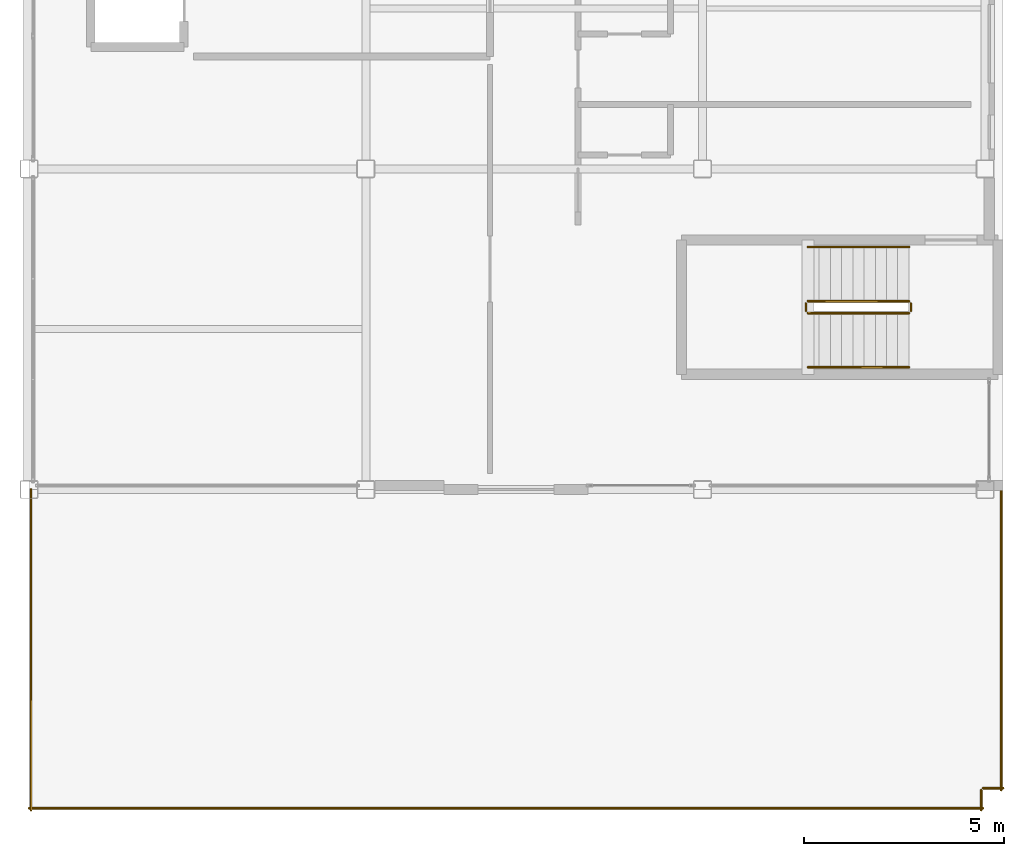
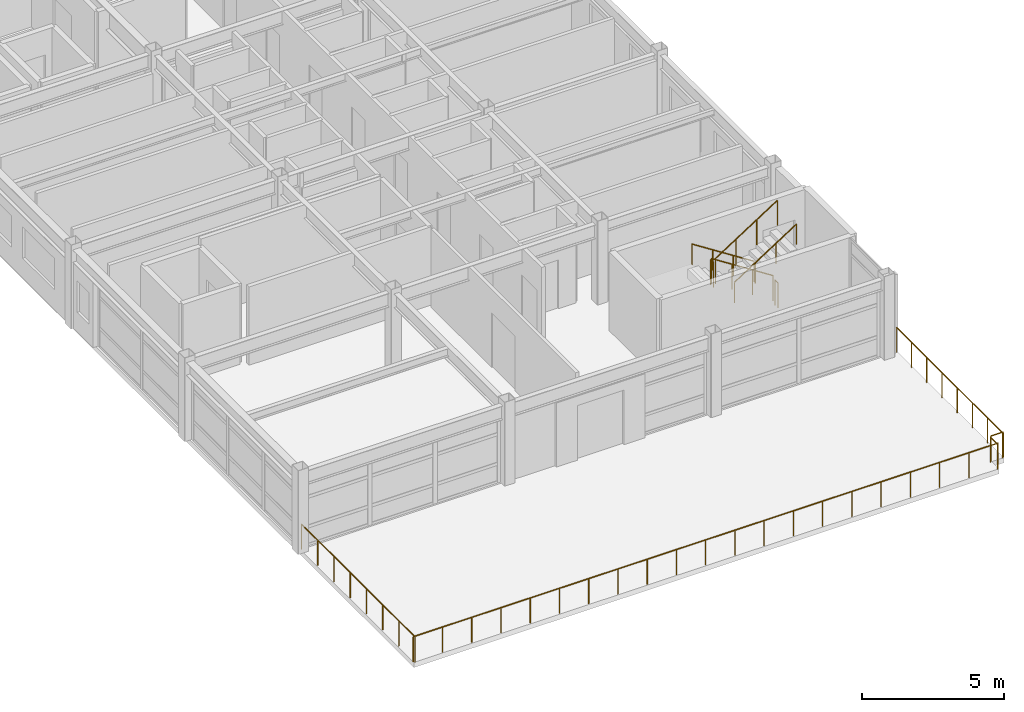
# One storey, part 26 of 28: 11 railings.
"""IFC4 building model written with IfcOpenShell, lengths in metres."""

from ifc_helpers import new_model, si_unit, direction, frame, origin, origin_2d, place, context, subcontext, project, spatial, circle, extrude, material, type_object, element, save


model = new_model("IFC4")

# Units and contexts
model_context = context("Model", 3, precision=1e-05, world=origin(), true_north=direction((0.0, 1.0)))
body_context = subcontext(model_context, "Body", "Model", "MODEL_VIEW")
ifc_project = project(units=[si_unit("LENGTHUNIT", "METRE"), si_unit("AREAUNIT", "SQUARE_METRE"), si_unit("VOLUMEUNIT", "CUBIC_METRE"), si_unit("PLANEANGLEUNIT", "RADIAN"), si_unit("MASSUNIT", "GRAM", prefix="KILO")], contexts=[model_context])

# Site, building, storey
site_placement = place(None, origin())
site = spatial("IfcSite", under=ifc_project, at=site_placement, CompositionType="ELEMENT")
building_placement = place(site_placement, origin())
building = spatial("IfcBuilding", under=site, at=building_placement, Name="Kazehara Bluff Congress Hotel", CompositionType="ELEMENT")
storey_placement = place(building_placement, frame((0.0, 0.0, 42.60009765625)))
storey = spatial("IfcBuildingStorey", under=building, at=storey_placement, Name="L10", CompositionType="ELEMENT", Elevation=42.60009765625)

# Railings
ifc_material_1 = material(Name="Painted galvanised steel", Category="steel")
railing_type_1 = type_object("IfcRailingType", Name="TP-GRD-EXT", PredefinedType="BALUSTRADE", material=ifc_material_1)
railing_1_placement = place(storey_placement, frame((143.75, 16.0, 0.0)))
element("IfcRailing", 1, at=railing_1_placement, inside=storey, type_object=railing_type_1, Name="Executive South Sky Terrace edge guard 1", PredefinedType="BALUSTRADE", context=body_context, shape_type="SweptSolid", body=[
    extrude(circle(Radius=0.02392578125, at=origin_2d()), frame((0.0, 0.0, 1.076171875), z_axis=(0.0, -1.0, 0.0), x_axis=(1.0, 0.0, 0.0)), (0.0, 0.0, 1.0), 8.0),
    extrude(circle(Radius=0.02099609375, at=origin_2d()), origin(), (0.0, 0.0, 1.0), 1.052001953125),
    extrude(circle(Radius=0.02099609375, at=origin_2d()), frame((0.0, -1.142822265625, 0.0)), (0.0, 0.0, 1.0), 1.052001953125),
    extrude(circle(Radius=0.02099609375, at=origin_2d()), frame((0.0, -2.28564453125, 0.0)), (0.0, 0.0, 1.0), 1.052001953125),
    extrude(circle(Radius=0.02099609375, at=origin_2d()), frame((0.0, -3.428466796875, 0.0)), (0.0, 0.0, 1.0), 1.052001953125),
    extrude(circle(Radius=0.02099609375, at=origin_2d()), frame((0.0, -4.571533203125, 0.0)), (0.0, 0.0, 1.0), 1.052001953125),
    extrude(circle(Radius=0.02099609375, at=origin_2d()), frame((0.0, -5.71435546875, 0.0)), (0.0, 0.0, 1.0), 1.052001953125),
    extrude(circle(Radius=0.02099609375, at=origin_2d()), frame((0.0, -6.857177734375, 0.0)), (0.0, 0.0, 1.0), 1.052001953125),
    extrude(circle(Radius=0.02099609375, at=origin_2d()), frame((0.0, -8.0, 0.0)), (0.0, 0.0, 1.0), 1.052001953125),
])
railing_2_placement = place(storey_placement, frame((143.699951171875, 8.050048828125, 0.0)))
element("IfcRailing", 2, at=railing_2_placement, inside=storey, type_object=railing_type_1, Name="Executive South Sky Terrace edge guard 2", PredefinedType="BALUSTRADE", context=body_context, shape_type="SweptSolid", body=[
    extrude(circle(Radius=0.02392578125, at=origin_2d()), frame((0.0, 0.0, 1.076171875), z_axis=(1.0, 0.0, 0.0), x_axis=(0.0, 1.0, 0.0)), (0.0, 0.0, 1.0), 23.800048828125),
    extrude(circle(Radius=0.02099609375, at=origin_2d()), origin(), (0.0, 0.0, 1.0), 1.052001953125),
    extrude(circle(Radius=0.02099609375, at=origin_2d()), frame((1.18994140625, 0.0, 0.0)), (0.0, 0.0, 1.0), 1.052001953125),
    extrude(circle(Radius=0.02099609375, at=origin_2d()), frame((2.3798828125, 0.0, 0.0)), (0.0, 0.0, 1.0), 1.052001953125),
    extrude(circle(Radius=0.02099609375, at=origin_2d()), frame((3.570068359375, 0.0, 0.0)), (0.0, 0.0, 1.0), 1.052001953125),
    extrude(circle(Radius=0.02099609375, at=origin_2d()), frame((4.760009765625, 0.0, 0.0)), (0.0, 0.0, 1.0), 1.052001953125),
    extrude(circle(Radius=0.02099609375, at=origin_2d()), frame((5.949951171875, 0.0, 0.0)), (0.0, 0.0, 1.0), 1.052001953125),
    extrude(circle(Radius=0.02099609375, at=origin_2d()), frame((7.14013671875, 0.0, 0.0)), (0.0, 0.0, 1.0), 1.052001953125),
    extrude(circle(Radius=0.02099609375, at=origin_2d()), frame((8.330078125, 0.0, 0.0)), (0.0, 0.0, 1.0), 1.052001953125),
    extrude(circle(Radius=0.02099609375, at=origin_2d()), frame((9.52001953125, 0.0, 0.0)), (0.0, 0.0, 1.0), 1.052001953125),
    extrude(circle(Radius=0.02099609375, at=origin_2d()), frame((10.7099609375, 0.0, 0.0)), (0.0, 0.0, 1.0), 1.052001953125),
    extrude(circle(Radius=0.02099609375, at=origin_2d()), frame((11.89990234375, 0.0, 0.0)), (0.0, 0.0, 1.0), 1.052001953125),
    extrude(circle(Radius=0.02099609375, at=origin_2d()), frame((13.090087890625, 0.0, 0.0)), (0.0, 0.0, 1.0), 1.052001953125),
    extrude(circle(Radius=0.02099609375, at=origin_2d()), frame((14.280029296875, 0.0, 0.0)), (0.0, 0.0, 1.0), 1.052001953125),
    extrude(circle(Radius=0.02099609375, at=origin_2d()), frame((15.469970703125, 0.0, 0.0)), (0.0, 0.0, 1.0), 1.052001953125),
    extrude(circle(Radius=0.02099609375, at=origin_2d()), frame((16.66015625, 0.0, 0.0)), (0.0, 0.0, 1.0), 1.052001953125),
    extrude(circle(Radius=0.02099609375, at=origin_2d()), frame((17.85009765625, 0.0, 0.0)), (0.0, 0.0, 1.0), 1.052001953125),
    extrude(circle(Radius=0.02099609375, at=origin_2d()), frame((19.0400390625, 0.0, 0.0)), (0.0, 0.0, 1.0), 1.052001953125),
    extrude(circle(Radius=0.02099609375, at=origin_2d()), frame((20.22998046875, 0.0, 0.0)), (0.0, 0.0, 1.0), 1.052001953125),
    extrude(circle(Radius=0.02099609375, at=origin_2d()), frame((21.419921875, 0.0, 0.0)), (0.0, 0.0, 1.0), 1.052001953125),
    extrude(circle(Radius=0.02099609375, at=origin_2d()), frame((22.610107421875, 0.0, 0.0)), (0.0, 0.0, 1.0), 1.052001953125),
    extrude(circle(Radius=0.02099609375, at=origin_2d()), frame((23.800048828125, 0.0, 0.0)), (0.0, 0.0, 1.0), 1.052001953125),
])
railing_3_placement = place(storey_placement, frame((167.449951171875, 8.0, 0.0)))
element("IfcRailing", 3, at=railing_3_placement, inside=storey, type_object=railing_type_1, Name="Executive South Sky Terrace edge guard 3", PredefinedType="BALUSTRADE", context=body_context, shape_type="SweptSolid", body=[
    extrude(circle(Radius=0.02392578125, at=origin_2d()), frame((0.0, 0.0, 1.076171875), z_axis=(0.0, 1.0, 0.0), x_axis=(-1.0, 0.0, 0.0)), (0.0, 0.0, 1.0), 0.5),
    extrude(circle(Radius=0.02099609375, at=origin_2d()), origin(), (0.0, 0.0, 1.0), 1.052001953125),
    extrude(circle(Radius=0.02099609375, at=origin_2d()), frame((0.0, 0.5, 0.0)), (0.0, 0.0, 1.0), 1.052001953125),
])
railing_4_placement = place(storey_placement, frame((167.5, 8.550048828125, 0.0)))
element("IfcRailing", 4, at=railing_4_placement, inside=storey, type_object=railing_type_1, Name="Executive South Sky Terrace edge guard 4", PredefinedType="BALUSTRADE", context=body_context, shape_type="SweptSolid", body=[
    extrude(circle(Radius=0.02392578125, at=origin_2d()), frame((0.0, 0.0, 1.076171875), z_axis=(1.0, 0.0, 0.0), x_axis=(0.0, 1.0, 0.0)), (0.0, 0.0, 1.0), 0.5),
    extrude(circle(Radius=0.02099609375, at=origin_2d()), origin(), (0.0, 0.0, 1.0), 1.052001953125),
    extrude(circle(Radius=0.02099609375, at=origin_2d()), frame((0.5, 0.0, 0.0)), (0.0, 0.0, 1.0), 1.052001953125),
])
railing_5_placement = place(storey_placement, frame((167.949951171875, 8.5, 0.0)))
element("IfcRailing", 5, at=railing_5_placement, inside=storey, type_object=railing_type_1, Name="Executive South Sky Terrace edge guard 5", PredefinedType="BALUSTRADE", context=body_context, shape_type="SweptSolid", body=[
    extrude(circle(Radius=0.02392578125, at=origin_2d()), frame((0.0, 0.0, 1.076171875), z_axis=(0.0, 1.0, 0.0), x_axis=(-1.0, 0.0, 0.0)), (0.0, 0.0, 1.0), 7.5),
    extrude(circle(Radius=0.02099609375, at=origin_2d()), origin(), (0.0, 0.0, 1.0), 1.052001953125),
    extrude(circle(Radius=0.02099609375, at=origin_2d()), frame((0.0, 1.071533203125, 0.0)), (0.0, 0.0, 1.0), 1.052001953125),
    extrude(circle(Radius=0.02099609375, at=origin_2d()), frame((0.0, 2.142822265625, 0.0)), (0.0, 0.0, 1.0), 1.052001953125),
    extrude(circle(Radius=0.02099609375, at=origin_2d()), frame((0.0, 3.21435546875, 0.0)), (0.0, 0.0, 1.0), 1.052001953125),
    extrude(circle(Radius=0.02099609375, at=origin_2d()), frame((0.0, 4.28564453125, 0.0)), (0.0, 0.0, 1.0), 1.052001953125),
    extrude(circle(Radius=0.02099609375, at=origin_2d()), frame((0.0, 5.357177734375, 0.0)), (0.0, 0.0, 1.0), 1.052001953125),
    extrude(circle(Radius=0.02099609375, at=origin_2d()), frame((0.0, 6.428466796875, 0.0)), (0.0, 0.0, 1.0), 1.052001953125),
    extrude(circle(Radius=0.02099609375, at=origin_2d()), frame((0.0, 7.5, 0.0)), (0.0, 0.0, 1.0), 1.052001953125),
])
ifc_material_2 = material(Name="Brushed stainless steel", Category="steel")
railing_type_2 = type_object("IfcRailingType", Name="TP-GRD-INT", PredefinedType="GUARDRAIL", material=ifc_material_2)
railing_6_placement = place(storey_placement, frame((165.64990234375, 20.699951171875, 0.179931640625)))
element("IfcRailing", 6, at=railing_6_placement, inside=storey, type_object=railing_type_2, Name="L10 ST-10 stair guard 1", PredefinedType="GUARDRAIL", context=body_context, shape_type="SweptSolid", body=[
    extrude(circle(Radius=0.02392578125, at=origin_2d()), frame((0.0, 0.0, 1.076171875), z_axis=(-0.841199657755, 0.0, 0.540724639528), x_axis=(0.0, -1.0, 0.0)), (0.0, 0.0, 1.0), 2.995849609375),
    extrude(circle(Radius=0.02099609375, at=origin_2d()), origin(), (0.0, 0.0, 1.0), 1.052001953125),
    extrude(circle(Radius=0.02099609375, at=origin_2d()), frame((-0.840087890625, 0.0, 0.5400390625)), (0.0, 0.0, 1.0), 1.052001953125),
    extrude(circle(Radius=0.02099609375, at=origin_2d()), frame((-1.679931640625, 0.0, 1.079833984375)), (0.0, 0.0, 1.0), 1.052001953125),
    extrude(circle(Radius=0.02099609375, at=origin_2d()), frame((-2.52001953125, 0.0, 1.619873046875)), (0.0, 0.0, 1.0), 1.052001953125),
])
railing_7_placement = place(storey_placement, frame((163.080078125, 20.64990234375, 1.7998046875)))
element("IfcRailing", 7, at=railing_7_placement, inside=storey, type_object=railing_type_2, Name="L10 ST-10 stair guard 2", PredefinedType="GUARDRAIL", context=body_context, shape_type="SweptSolid", body=[
    extrude(circle(Radius=0.02392578125, at=origin_2d()), frame((0.0, 0.0, 1.076171875), z_axis=(0.0, -1.0, 0.0), x_axis=(1.0, 0.0, 0.0)), (0.0, 0.0, 1.0), 0.199951171875),
    extrude(circle(Radius=0.02099609375, at=origin_2d()), origin(), (0.0, 0.0, 1.0), 1.052001953125),
    extrude(circle(Radius=0.02099609375, at=origin_2d()), frame((0.0, -0.199951171875, 0.0)), (0.0, 0.0, 1.0), 1.052001953125),
])
railing_8_placement = place(storey_placement, frame((163.1298828125, 20.39990234375, 1.97998046875)))
element("IfcRailing", 8, at=railing_8_placement, inside=storey, type_object=railing_type_2, Name="L10 ST-10 stair guard 3", PredefinedType="GUARDRAIL", context=body_context, shape_type="SweptSolid", body=[
    extrude(circle(Radius=0.02392578125, at=origin_2d()), frame((0.0, 0.0, 1.076171875), z_axis=(0.841199657755, 0.0, 0.540724639528), x_axis=(0.0, 1.0, 0.0)), (0.0, 0.0, 1.0), 2.995849609375),
    extrude(circle(Radius=0.02099609375, at=origin_2d()), origin(), (0.0, 0.0, 1.0), 1.052001953125),
    extrude(circle(Radius=0.02099609375, at=origin_2d()), frame((0.840087890625, 0.0, 0.5400390625)), (0.0, 0.0, 1.0), 1.052001953125),
    extrude(circle(Radius=0.02099609375, at=origin_2d()), frame((1.679931640625, 0.0, 1.079833984375)), (0.0, 0.0, 1.0), 1.052001953125),
    extrude(circle(Radius=0.02099609375, at=origin_2d()), frame((2.52001953125, 0.0, 1.619873046875)), (0.0, 0.0, 1.0), 1.052001953125),
])
railing_9_placement = place(storey_placement, frame((165.699951171875, 20.64990234375, 0.0)))
element("IfcRailing", 9, at=railing_9_placement, inside=storey, type_object=railing_type_2, Name="L10 ST-10 stair guard 4", PredefinedType="GUARDRAIL", context=body_context, shape_type="SweptSolid", body=[
    extrude(circle(Radius=0.02392578125, at=origin_2d()), frame((0.0, 0.0, 1.076171875), z_axis=(0.0, -1.0, 0.0), x_axis=(1.0, 0.0, 0.0)), (0.0, 0.0, 1.0), 0.199951171875),
    extrude(circle(Radius=0.02099609375, at=origin_2d()), origin(), (0.0, 0.0, 1.0), 1.052001953125),
    extrude(circle(Radius=0.02099609375, at=origin_2d()), frame((0.0, -0.199951171875, 0.0)), (0.0, 0.0, 1.0), 1.052001953125),
])
ifc_material_3 = material(Name="Brushed stainless steel", Category="steel")
railing_type_3 = type_object("IfcRailingType", Name="TP-HR-INT", PredefinedType="HANDRAIL", material=ifc_material_3)
railing_10_placement = place(storey_placement, frame((165.64990234375, 22.050048828125, 0.179931640625)))
element("IfcRailing", 10, at=railing_10_placement, inside=storey, type_object=railing_type_3, Name="L10 ST-10 stair handrail 1", PredefinedType="HANDRAIL", context=body_context, shape_type="SweptSolid", body=[
    extrude(circle(Radius=0.02392578125, at=origin_2d()), frame((0.0, 0.0, 0.8759765625), z_axis=(-0.841199657755, 0.0, 0.540724639528), x_axis=(0.0, -1.0, 0.0)), (0.0, 0.0, 1.0), 2.995849609375),
    extrude(circle(Radius=0.02099609375, at=origin_2d()), origin(), (0.0, 0.0, 1.0), 0.851806640625),
    extrude(circle(Radius=0.02099609375, at=origin_2d()), frame((-0.840087890625, 0.0, 0.5400390625)), (0.0, 0.0, 1.0), 0.851806640625),
    extrude(circle(Radius=0.02099609375, at=origin_2d()), frame((-1.679931640625, 0.0, 1.079833984375)), (0.0, 0.0, 1.0), 0.851806640625),
    extrude(circle(Radius=0.02099609375, at=origin_2d()), frame((-2.52001953125, 0.0, 1.619873046875)), (0.0, 0.0, 1.0), 0.851806640625),
])
railing_11_placement = place(storey_placement, frame((163.1298828125, 19.050048828125, 1.97998046875)))
element("IfcRailing", 11, at=railing_11_placement, inside=storey, type_object=railing_type_3, Name="L10 ST-10 stair handrail 2", PredefinedType="HANDRAIL", context=body_context, shape_type="SweptSolid", body=[
    extrude(circle(Radius=0.02392578125, at=origin_2d()), frame((0.0, 0.0, 0.8759765625), z_axis=(0.841199657755, 0.0, 0.540724639528), x_axis=(0.0, 1.0, 0.0)), (0.0, 0.0, 1.0), 2.995849609375),
    extrude(circle(Radius=0.02099609375, at=origin_2d()), origin(), (0.0, 0.0, 1.0), 0.851806640625),
    extrude(circle(Radius=0.02099609375, at=origin_2d()), frame((0.840087890625, 0.0, 0.5400390625)), (0.0, 0.0, 1.0), 0.851806640625),
    extrude(circle(Radius=0.02099609375, at=origin_2d()), frame((1.679931640625, 0.0, 1.079833984375)), (0.0, 0.0, 1.0), 0.851806640625),
    extrude(circle(Radius=0.02099609375, at=origin_2d()), frame((2.52001953125, 0.0, 1.619873046875)), (0.0, 0.0, 1.0), 0.851806640625),
])

save(model, "model.ifc")
